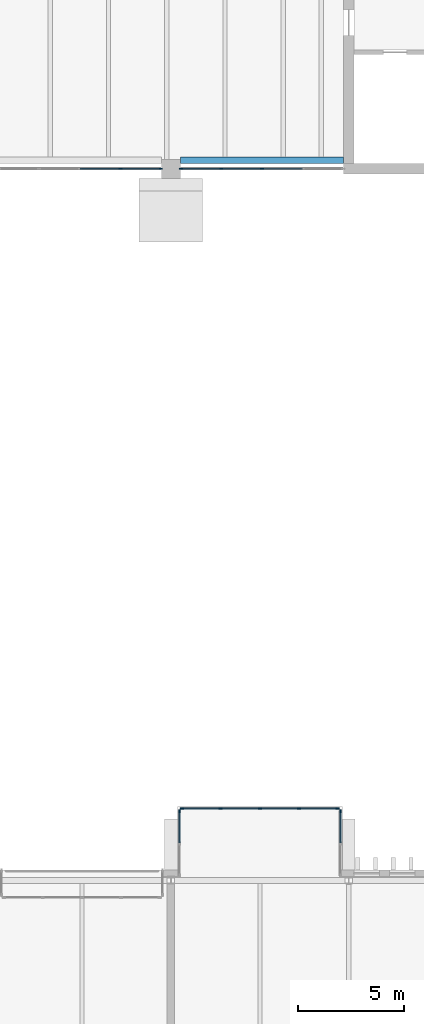
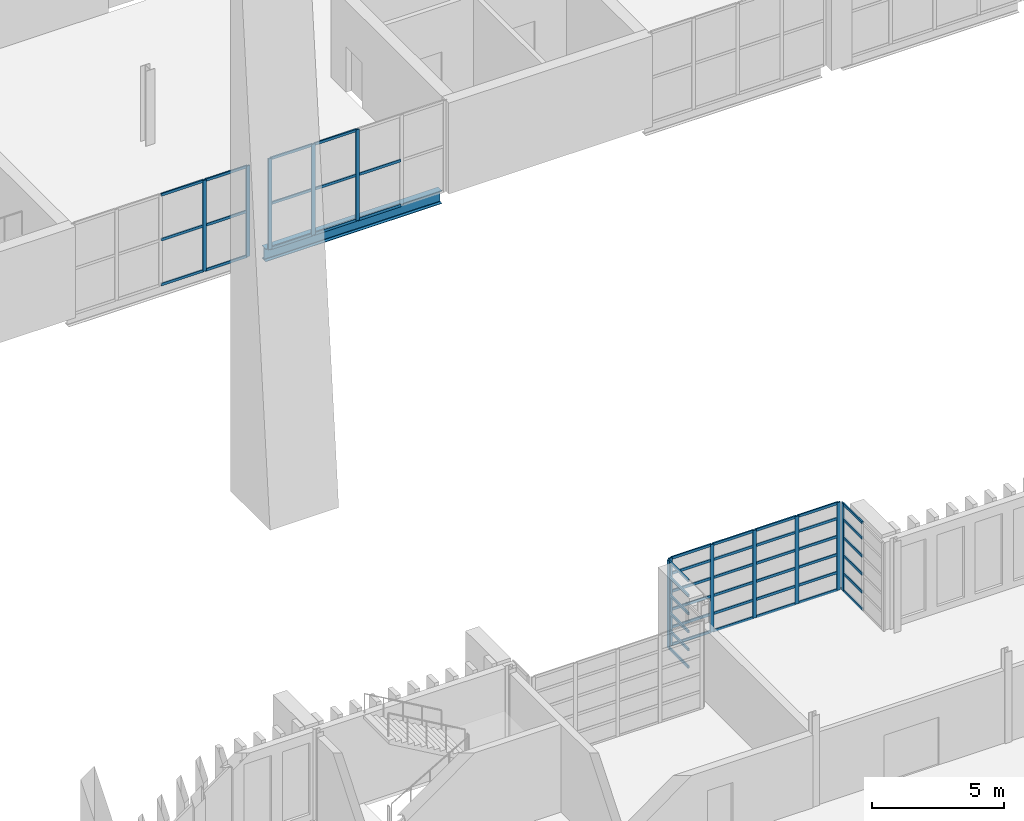
# One storey, part 30 of 100: 62 members, 1 beam, 5 elements without a shape of their own.
"""IFC4 building model written with IfcOpenShell, lengths in metres."""

from ifc_helpers import new_model, si_unit, direction, frame, origin, origin_2d, place, context, subcontext, project, spatial, rectangle, i_section, extrude, material, layer, layer_set, material_profile, profile_set, type_object, element, aggregate, save


model = new_model("IFC4")

# Units and contexts
model_context = context("Model", 3, precision=1e-05, world=origin(), true_north=direction((0.0, 1.0)))
body_context = subcontext(model_context, "Body", "Model", "MODEL_VIEW")
ifc_project = project(units=[si_unit("LENGTHUNIT", "METRE"), si_unit("AREAUNIT", "SQUARE_METRE"), si_unit("VOLUMEUNIT", "CUBIC_METRE"), si_unit("PLANEANGLEUNIT", "RADIAN"), si_unit("MASSUNIT", "GRAM", prefix="KILO")], contexts=[model_context])

# Site, building, storey
site_placement = place(None, origin())
site = spatial("IfcSite", under=ifc_project, at=site_placement, CompositionType="ELEMENT")
building_placement = place(site_placement, origin())
building = spatial("IfcBuilding", under=site, at=building_placement, Name="Cresset Court Congress Hotel", CompositionType="ELEMENT")
storey_placement = place(building_placement, frame((0.0, 0.0, 10.199951171875)))
storey = spatial("IfcBuildingStorey", under=building, at=storey_placement, Name="L02", CompositionType="ELEMENT", Elevation=10.199951171875)

# Curtain wall, members
ifc_material_1 = material(Name="Aluminium frame with double glazing", Category="aluminium")
ifc_layer_1 = layer(ifc_material_1, 0.199951171875)
ifc_layer_set_1 = layer_set([ifc_layer_1], Name="Glazed box curtain wall 1680 module")
curtain_wall_type_1 = type_object("IfcCurtainWallType", Name="Glazed box curtain wall 1680 module", PredefinedType="NOTDEFINED", material=ifc_layer_set_1)
curtain_wall_1_placement = place(storey_placement, origin())
curtain_wall_1 = element("IfcCurtainWall", 1, at=curtain_wall_1_placement, inside=storey, type_object=curtain_wall_type_1, Name="Glazed box N0228 front", PredefinedType="NOTDEFINED")
ifc_material_2 = material(Name="Aluminium", Category="aluminium")
ifc_material_profile_1 = material_profile(ifc_material_2, rectangle(XDim=0.06005859375, YDim=0.159912109375, at=origin_2d()), Name="Box mullion 60x160")
ifc_profile_set_1 = profile_set([ifc_material_profile_1], Name="Aluminium")
member_type_1 = type_object("IfcMemberType", Name="Box mullion 60x160", PredefinedType="MULLION", material=ifc_profile_set_1)
member_1_placement = place(storey_placement, frame((76.1298828125, 28.60009765625, 0.0), z_axis=(0.0, 0.0, 1.0), x_axis=(0.0, 1.0, 0.0)))
member_1 = element("IfcMember", 2, at=member_1_placement, type_object=member_type_1, Name="B-X1 mullion 1", PredefinedType="MULLION", context=body_context, shape_type="SweptSolid", body=[
    extrude(rectangle(XDim=0.06005859375, YDim=0.159912109375, at=origin_2d()), origin(), (0.0, 0.0, 1.0), 4.050048828125),
])
member_2_placement = place(storey_placement, frame((77.949951171875, 28.60009765625, 0.0), z_axis=(0.0, 0.0, 1.0), x_axis=(0.0, 1.0, 0.0)))
member_2 = element("IfcMember", 3, at=member_2_placement, type_object=member_type_1, Name="B-X1 mullion 2", PredefinedType="MULLION", context=body_context, shape_type="SweptSolid", body=[
    extrude(rectangle(XDim=0.06005859375, YDim=0.159912109375, at=origin_2d()), origin(), (0.0, 0.0, 1.0), 4.050048828125),
])
member_3_placement = place(storey_placement, frame((79.800048828125, 28.60009765625, 0.0), z_axis=(0.0, 0.0, 1.0), x_axis=(0.0, 1.0, 0.0)))
member_3 = element("IfcMember", 4, at=member_3_placement, type_object=member_type_1, Name="B-X1 mullion 3", PredefinedType="MULLION", context=body_context, shape_type="SweptSolid", body=[
    extrude(rectangle(XDim=0.06005859375, YDim=0.159912109375, at=origin_2d()), origin(), (0.0, 0.0, 1.0), 4.050048828125),
])
member_4_placement = place(storey_placement, frame((81.64990234375, 28.60009765625, 0.0), z_axis=(0.0, 0.0, 1.0), x_axis=(0.0, 1.0, 0.0)))
member_4 = element("IfcMember", 5, at=member_4_placement, type_object=member_type_1, Name="B-X1 mullion 4", PredefinedType="MULLION", context=body_context, shape_type="SweptSolid", body=[
    extrude(rectangle(XDim=0.06005859375, YDim=0.159912109375, at=origin_2d()), origin(), (0.0, 0.0, 1.0), 4.050048828125),
])
member_5_placement = place(storey_placement, frame((83.469970703125, 28.60009765625, 0.0), z_axis=(0.0, 0.0, 1.0), x_axis=(0.0, 1.0, 0.0)))
member_5 = element("IfcMember", 6, at=member_5_placement, type_object=member_type_1, Name="B-X1 mullion 5", PredefinedType="MULLION", context=body_context, shape_type="SweptSolid", body=[
    extrude(rectangle(XDim=0.06005859375, YDim=0.159912109375, at=origin_2d()), origin(), (0.0, 0.0, 1.0), 4.050048828125),
])

# Curtain wall, member
curtain_wall_2_placement = place(storey_placement, origin())
curtain_wall_2 = element("IfcCurtainWall", 7, at=curtain_wall_2_placement, inside=storey, type_object=curtain_wall_type_1, Name="Glazed box N0228 side", PredefinedType="NOTDEFINED")
member_6_placement = place(storey_placement, frame((76.0, 28.469970703125, 0.0), z_axis=(0.0, 0.0, 1.0), x_axis=(-1.0, 0.0, 0.0)))
member_6 = element("IfcMember", 8, at=member_6_placement, type_object=member_type_1, Name="B-X1 mullion 3", PredefinedType="MULLION", context=body_context, shape_type="SweptSolid", body=[
    extrude(rectangle(XDim=0.06005859375, YDim=0.159912109375, at=origin_2d()), origin(), (0.0, 0.0, 1.0), 4.050048828125),
])

curtain_wall_3_placement = place(storey_placement, origin())
curtain_wall_3 = element("IfcCurtainWall", 9, at=curtain_wall_3_placement, inside=storey, type_object=curtain_wall_type_1, Name="Glazed box N0228 side", PredefinedType="NOTDEFINED")
member_7_placement = place(storey_placement, frame((83.60009765625, 28.469970703125, 0.0), z_axis=(0.0, 0.0, 1.0), x_axis=(-1.0, 0.0, 0.0)))
member_7 = element("IfcMember", 10, at=member_7_placement, type_object=member_type_1, Name="B-X1 mullion 3", PredefinedType="MULLION", context=body_context, shape_type="SweptSolid", body=[
    extrude(rectangle(XDim=0.06005859375, YDim=0.159912109375, at=origin_2d()), origin(), (0.0, 0.0, 1.0), 4.050048828125),
])

# Member
ifc_material_3 = material(Name="Aluminium", Category="aluminium")
ifc_material_profile_2 = material_profile(ifc_material_3, rectangle(XDim=0.06005859375, YDim=0.1201171875, at=origin_2d()), Name="Box transom 60x120")
ifc_profile_set_2 = profile_set([ifc_material_profile_2], Name="Aluminium")
member_type_2 = type_object("IfcMemberType", Name="Box transom 60x120", PredefinedType="USERDEFINED", material=ifc_profile_set_2)
member_8_placement = place(storey_placement, frame((76.159912109375, 28.60009765625, 0.030029296875), z_axis=(1.0, 0.0, 0.0), x_axis=(0.0, 1.0, 0.0)))
member_8 = element("IfcMember", 11, at=member_8_placement, type_object=member_type_2, Name="B-X1 transom 1.1", ObjectType="TRANSOM", PredefinedType="USERDEFINED", context=body_context, shape_type="SweptSolid", body=[
    extrude(rectangle(XDim=0.06005859375, YDim=0.1201171875, at=origin_2d()), origin(), (0.0, 0.0, 1.0), 1.760009765625),
])

member_9_placement = place(storey_placement, frame((76.159912109375, 28.60009765625, 0.830078125), z_axis=(1.0, 0.0, 0.0), x_axis=(0.0, 1.0, 0.0)))
member_9 = element("IfcMember", 12, at=member_9_placement, type_object=member_type_2, Name="B-X1 transom 1.2", ObjectType="TRANSOM", PredefinedType="USERDEFINED", context=body_context, shape_type="SweptSolid", body=[
    extrude(rectangle(XDim=0.06005859375, YDim=0.1201171875, at=origin_2d()), origin(), (0.0, 0.0, 1.0), 1.760009765625),
])

member_10_placement = place(storey_placement, frame((76.159912109375, 28.60009765625, 1.66015625), z_axis=(1.0, 0.0, 0.0), x_axis=(0.0, 1.0, 0.0)))
member_10 = element("IfcMember", 13, at=member_10_placement, type_object=member_type_2, Name="B-X1 transom 1.3", ObjectType="TRANSOM", PredefinedType="USERDEFINED", context=body_context, shape_type="SweptSolid", body=[
    extrude(rectangle(XDim=0.06005859375, YDim=0.1201171875, at=origin_2d()), origin(), (0.0, 0.0, 1.0), 1.760009765625),
])

member_11_placement = place(storey_placement, frame((76.159912109375, 28.60009765625, 2.489990234375), z_axis=(1.0, 0.0, 0.0), x_axis=(0.0, 1.0, 0.0)))
member_11 = element("IfcMember", 14, at=member_11_placement, type_object=member_type_2, Name="B-X1 transom 1.4", ObjectType="TRANSOM", PredefinedType="USERDEFINED", context=body_context, shape_type="SweptSolid", body=[
    extrude(rectangle(XDim=0.06005859375, YDim=0.1201171875, at=origin_2d()), origin(), (0.0, 0.0, 1.0), 1.760009765625),
])

member_12_placement = place(storey_placement, frame((76.159912109375, 28.60009765625, 3.320068359375), z_axis=(1.0, 0.0, 0.0), x_axis=(0.0, 1.0, 0.0)))
member_12 = element("IfcMember", 15, at=member_12_placement, type_object=member_type_2, Name="B-X1 transom 1.5", ObjectType="TRANSOM", PredefinedType="USERDEFINED", context=body_context, shape_type="SweptSolid", body=[
    extrude(rectangle(XDim=0.06005859375, YDim=0.1201171875, at=origin_2d()), origin(), (0.0, 0.0, 1.0), 1.760009765625),
])

member_13_placement = place(storey_placement, frame((76.159912109375, 28.60009765625, 4.02001953125), z_axis=(1.0, 0.0, 0.0), x_axis=(0.0, 1.0, 0.0)))
member_13 = element("IfcMember", 16, at=member_13_placement, type_object=member_type_2, Name="B-X1 transom 1.6", ObjectType="TRANSOM", PredefinedType="USERDEFINED", context=body_context, shape_type="SweptSolid", body=[
    extrude(rectangle(XDim=0.06005859375, YDim=0.1201171875, at=origin_2d()), origin(), (0.0, 0.0, 1.0), 1.760009765625),
])

member_14_placement = place(storey_placement, frame((77.97998046875, 28.60009765625, 0.030029296875), z_axis=(1.0, 0.0, 0.0), x_axis=(0.0, 1.0, 0.0)))
member_14 = element("IfcMember", 17, at=member_14_placement, type_object=member_type_2, Name="B-X1 transom 2.1", ObjectType="TRANSOM", PredefinedType="USERDEFINED", context=body_context, shape_type="SweptSolid", body=[
    extrude(rectangle(XDim=0.06005859375, YDim=0.1201171875, at=origin_2d()), origin(), (0.0, 0.0, 1.0), 1.7900390625),
])

member_15_placement = place(storey_placement, frame((77.97998046875, 28.60009765625, 0.830078125), z_axis=(1.0, 0.0, 0.0), x_axis=(0.0, 1.0, 0.0)))
member_15 = element("IfcMember", 18, at=member_15_placement, type_object=member_type_2, Name="B-X1 transom 2.2", ObjectType="TRANSOM", PredefinedType="USERDEFINED", context=body_context, shape_type="SweptSolid", body=[
    extrude(rectangle(XDim=0.06005859375, YDim=0.1201171875, at=origin_2d()), origin(), (0.0, 0.0, 1.0), 1.7900390625),
])

member_16_placement = place(storey_placement, frame((77.97998046875, 28.60009765625, 1.66015625), z_axis=(1.0, 0.0, 0.0), x_axis=(0.0, 1.0, 0.0)))
member_16 = element("IfcMember", 19, at=member_16_placement, type_object=member_type_2, Name="B-X1 transom 2.3", ObjectType="TRANSOM", PredefinedType="USERDEFINED", context=body_context, shape_type="SweptSolid", body=[
    extrude(rectangle(XDim=0.06005859375, YDim=0.1201171875, at=origin_2d()), origin(), (0.0, 0.0, 1.0), 1.7900390625),
])

member_17_placement = place(storey_placement, frame((77.97998046875, 28.60009765625, 2.489990234375), z_axis=(1.0, 0.0, 0.0), x_axis=(0.0, 1.0, 0.0)))
member_17 = element("IfcMember", 20, at=member_17_placement, type_object=member_type_2, Name="B-X1 transom 2.4", ObjectType="TRANSOM", PredefinedType="USERDEFINED", context=body_context, shape_type="SweptSolid", body=[
    extrude(rectangle(XDim=0.06005859375, YDim=0.1201171875, at=origin_2d()), origin(), (0.0, 0.0, 1.0), 1.7900390625),
])

member_18_placement = place(storey_placement, frame((77.97998046875, 28.60009765625, 3.320068359375), z_axis=(1.0, 0.0, 0.0), x_axis=(0.0, 1.0, 0.0)))
member_18 = element("IfcMember", 21, at=member_18_placement, type_object=member_type_2, Name="B-X1 transom 2.5", ObjectType="TRANSOM", PredefinedType="USERDEFINED", context=body_context, shape_type="SweptSolid", body=[
    extrude(rectangle(XDim=0.06005859375, YDim=0.1201171875, at=origin_2d()), origin(), (0.0, 0.0, 1.0), 1.7900390625),
])

member_19_placement = place(storey_placement, frame((77.97998046875, 28.60009765625, 4.02001953125), z_axis=(1.0, 0.0, 0.0), x_axis=(0.0, 1.0, 0.0)))
member_19 = element("IfcMember", 22, at=member_19_placement, type_object=member_type_2, Name="B-X1 transom 2.6", ObjectType="TRANSOM", PredefinedType="USERDEFINED", context=body_context, shape_type="SweptSolid", body=[
    extrude(rectangle(XDim=0.06005859375, YDim=0.1201171875, at=origin_2d()), origin(), (0.0, 0.0, 1.0), 1.7900390625),
])

member_20_placement = place(storey_placement, frame((79.830078125, 28.60009765625, 0.030029296875), z_axis=(1.0, 0.0, 0.0), x_axis=(0.0, 1.0, 0.0)))
member_20 = element("IfcMember", 23, at=member_20_placement, type_object=member_type_2, Name="B-X1 transom 3.1", ObjectType="TRANSOM", PredefinedType="USERDEFINED", context=body_context, shape_type="SweptSolid", body=[
    extrude(rectangle(XDim=0.06005859375, YDim=0.1201171875, at=origin_2d()), origin(), (0.0, 0.0, 1.0), 1.7900390625),
])

member_21_placement = place(storey_placement, frame((79.830078125, 28.60009765625, 0.830078125), z_axis=(1.0, 0.0, 0.0), x_axis=(0.0, 1.0, 0.0)))
member_21 = element("IfcMember", 24, at=member_21_placement, type_object=member_type_2, Name="B-X1 transom 3.2", ObjectType="TRANSOM", PredefinedType="USERDEFINED", context=body_context, shape_type="SweptSolid", body=[
    extrude(rectangle(XDim=0.06005859375, YDim=0.1201171875, at=origin_2d()), origin(), (0.0, 0.0, 1.0), 1.7900390625),
])

member_22_placement = place(storey_placement, frame((79.830078125, 28.60009765625, 1.66015625), z_axis=(1.0, 0.0, 0.0), x_axis=(0.0, 1.0, 0.0)))
member_22 = element("IfcMember", 25, at=member_22_placement, type_object=member_type_2, Name="B-X1 transom 3.3", ObjectType="TRANSOM", PredefinedType="USERDEFINED", context=body_context, shape_type="SweptSolid", body=[
    extrude(rectangle(XDim=0.06005859375, YDim=0.1201171875, at=origin_2d()), origin(), (0.0, 0.0, 1.0), 1.7900390625),
])

member_23_placement = place(storey_placement, frame((79.830078125, 28.60009765625, 2.489990234375), z_axis=(1.0, 0.0, 0.0), x_axis=(0.0, 1.0, 0.0)))
member_23 = element("IfcMember", 26, at=member_23_placement, type_object=member_type_2, Name="B-X1 transom 3.4", ObjectType="TRANSOM", PredefinedType="USERDEFINED", context=body_context, shape_type="SweptSolid", body=[
    extrude(rectangle(XDim=0.06005859375, YDim=0.1201171875, at=origin_2d()), origin(), (0.0, 0.0, 1.0), 1.7900390625),
])

member_24_placement = place(storey_placement, frame((79.830078125, 28.60009765625, 3.320068359375), z_axis=(1.0, 0.0, 0.0), x_axis=(0.0, 1.0, 0.0)))
member_24 = element("IfcMember", 27, at=member_24_placement, type_object=member_type_2, Name="B-X1 transom 3.5", ObjectType="TRANSOM", PredefinedType="USERDEFINED", context=body_context, shape_type="SweptSolid", body=[
    extrude(rectangle(XDim=0.06005859375, YDim=0.1201171875, at=origin_2d()), origin(), (0.0, 0.0, 1.0), 1.7900390625),
])

member_25_placement = place(storey_placement, frame((79.830078125, 28.60009765625, 4.02001953125), z_axis=(1.0, 0.0, 0.0), x_axis=(0.0, 1.0, 0.0)))
member_25 = element("IfcMember", 28, at=member_25_placement, type_object=member_type_2, Name="B-X1 transom 3.6", ObjectType="TRANSOM", PredefinedType="USERDEFINED", context=body_context, shape_type="SweptSolid", body=[
    extrude(rectangle(XDim=0.06005859375, YDim=0.1201171875, at=origin_2d()), origin(), (0.0, 0.0, 1.0), 1.7900390625),
])

member_26_placement = place(storey_placement, frame((81.679931640625, 28.60009765625, 0.030029296875), z_axis=(1.0, 0.0, 0.0), x_axis=(0.0, 1.0, 0.0)))
member_26 = element("IfcMember", 29, at=member_26_placement, type_object=member_type_2, Name="B-X1 transom 4.1", ObjectType="TRANSOM", PredefinedType="USERDEFINED", context=body_context, shape_type="SweptSolid", body=[
    extrude(rectangle(XDim=0.06005859375, YDim=0.1201171875, at=origin_2d()), origin(), (0.0, 0.0, 1.0), 1.760009765625),
])

member_27_placement = place(storey_placement, frame((81.679931640625, 28.60009765625, 0.830078125), z_axis=(1.0, 0.0, 0.0), x_axis=(0.0, 1.0, 0.0)))
member_27 = element("IfcMember", 30, at=member_27_placement, type_object=member_type_2, Name="B-X1 transom 4.2", ObjectType="TRANSOM", PredefinedType="USERDEFINED", context=body_context, shape_type="SweptSolid", body=[
    extrude(rectangle(XDim=0.06005859375, YDim=0.1201171875, at=origin_2d()), origin(), (0.0, 0.0, 1.0), 1.760009765625),
])

member_28_placement = place(storey_placement, frame((81.679931640625, 28.60009765625, 1.66015625), z_axis=(1.0, 0.0, 0.0), x_axis=(0.0, 1.0, 0.0)))
member_28 = element("IfcMember", 31, at=member_28_placement, type_object=member_type_2, Name="B-X1 transom 4.3", ObjectType="TRANSOM", PredefinedType="USERDEFINED", context=body_context, shape_type="SweptSolid", body=[
    extrude(rectangle(XDim=0.06005859375, YDim=0.1201171875, at=origin_2d()), origin(), (0.0, 0.0, 1.0), 1.760009765625),
])

member_29_placement = place(storey_placement, frame((81.679931640625, 28.60009765625, 2.489990234375), z_axis=(1.0, 0.0, 0.0), x_axis=(0.0, 1.0, 0.0)))
member_29 = element("IfcMember", 32, at=member_29_placement, type_object=member_type_2, Name="B-X1 transom 4.4", ObjectType="TRANSOM", PredefinedType="USERDEFINED", context=body_context, shape_type="SweptSolid", body=[
    extrude(rectangle(XDim=0.06005859375, YDim=0.1201171875, at=origin_2d()), origin(), (0.0, 0.0, 1.0), 1.760009765625),
])

member_30_placement = place(storey_placement, frame((81.679931640625, 28.60009765625, 3.320068359375), z_axis=(1.0, 0.0, 0.0), x_axis=(0.0, 1.0, 0.0)))
member_30 = element("IfcMember", 33, at=member_30_placement, type_object=member_type_2, Name="B-X1 transom 4.5", ObjectType="TRANSOM", PredefinedType="USERDEFINED", context=body_context, shape_type="SweptSolid", body=[
    extrude(rectangle(XDim=0.06005859375, YDim=0.1201171875, at=origin_2d()), origin(), (0.0, 0.0, 1.0), 1.760009765625),
])

member_31_placement = place(storey_placement, frame((81.679931640625, 28.60009765625, 4.02001953125), z_axis=(1.0, 0.0, 0.0), x_axis=(0.0, 1.0, 0.0)))
member_31 = element("IfcMember", 34, at=member_31_placement, type_object=member_type_2, Name="B-X1 transom 4.6", ObjectType="TRANSOM", PredefinedType="USERDEFINED", context=body_context, shape_type="SweptSolid", body=[
    extrude(rectangle(XDim=0.06005859375, YDim=0.1201171875, at=origin_2d()), origin(), (0.0, 0.0, 1.0), 1.760009765625),
])

aggregate(curtain_wall_1, [member_1, member_2, member_3, member_4, member_5, member_8, member_9, member_10, member_11, member_12, member_13, member_14, member_15, member_16, member_17, member_18, member_19, member_20, member_21, member_22, member_23, member_24, member_25, member_26, member_27, member_28, member_29, member_30, member_31])

member_32_placement = place(storey_placement, frame((76.0, 26.97998046875, 0.030029296875), z_axis=(0.0, 1.0, 0.0), x_axis=(-1.0, 0.0, 0.0)))
member_32 = element("IfcMember", 35, at=member_32_placement, type_object=member_type_2, Name="B-X1 transom 2.1", ObjectType="TRANSOM", PredefinedType="USERDEFINED", context=body_context, shape_type="SweptSolid", body=[
    extrude(rectangle(XDim=0.06005859375, YDim=0.1201171875, at=origin_2d()), origin(), (0.0, 0.0, 1.0), 1.4599609375),
])

member_33_placement = place(storey_placement, frame((76.0, 26.97998046875, 0.830078125), z_axis=(0.0, 1.0, 0.0), x_axis=(-1.0, 0.0, 0.0)))
member_33 = element("IfcMember", 36, at=member_33_placement, type_object=member_type_2, Name="B-X1 transom 2.2", ObjectType="TRANSOM", PredefinedType="USERDEFINED", context=body_context, shape_type="SweptSolid", body=[
    extrude(rectangle(XDim=0.06005859375, YDim=0.1201171875, at=origin_2d()), origin(), (0.0, 0.0, 1.0), 1.4599609375),
])

member_34_placement = place(storey_placement, frame((76.0, 26.97998046875, 1.66015625), z_axis=(0.0, 1.0, 0.0), x_axis=(-1.0, 0.0, 0.0)))
member_34 = element("IfcMember", 37, at=member_34_placement, type_object=member_type_2, Name="B-X1 transom 2.3", ObjectType="TRANSOM", PredefinedType="USERDEFINED", context=body_context, shape_type="SweptSolid", body=[
    extrude(rectangle(XDim=0.06005859375, YDim=0.1201171875, at=origin_2d()), origin(), (0.0, 0.0, 1.0), 1.4599609375),
])

member_35_placement = place(storey_placement, frame((76.0, 26.97998046875, 2.489990234375), z_axis=(0.0, 1.0, 0.0), x_axis=(-1.0, 0.0, 0.0)))
member_35 = element("IfcMember", 38, at=member_35_placement, type_object=member_type_2, Name="B-X1 transom 2.4", ObjectType="TRANSOM", PredefinedType="USERDEFINED", context=body_context, shape_type="SweptSolid", body=[
    extrude(rectangle(XDim=0.06005859375, YDim=0.1201171875, at=origin_2d()), origin(), (0.0, 0.0, 1.0), 1.4599609375),
])

member_36_placement = place(storey_placement, frame((76.0, 26.97998046875, 3.320068359375), z_axis=(0.0, 1.0, 0.0), x_axis=(-1.0, 0.0, 0.0)))
member_36 = element("IfcMember", 39, at=member_36_placement, type_object=member_type_2, Name="B-X1 transom 2.5", ObjectType="TRANSOM", PredefinedType="USERDEFINED", context=body_context, shape_type="SweptSolid", body=[
    extrude(rectangle(XDim=0.06005859375, YDim=0.1201171875, at=origin_2d()), origin(), (0.0, 0.0, 1.0), 1.4599609375),
])

member_37_placement = place(storey_placement, frame((76.0, 26.97998046875, 4.02001953125), z_axis=(0.0, 1.0, 0.0), x_axis=(-1.0, 0.0, 0.0)))
member_37 = element("IfcMember", 40, at=member_37_placement, type_object=member_type_2, Name="B-X1 transom 2.6", ObjectType="TRANSOM", PredefinedType="USERDEFINED", context=body_context, shape_type="SweptSolid", body=[
    extrude(rectangle(XDim=0.06005859375, YDim=0.1201171875, at=origin_2d()), origin(), (0.0, 0.0, 1.0), 1.4599609375),
])

aggregate(curtain_wall_2, [member_6, member_32, member_33, member_34, member_35, member_36, member_37])

member_38_placement = place(storey_placement, frame((83.60009765625, 26.97998046875, 0.030029296875), z_axis=(0.0, 1.0, 0.0), x_axis=(-1.0, 0.0, 0.0)))
member_38 = element("IfcMember", 41, at=member_38_placement, type_object=member_type_2, Name="B-X1 transom 2.1", ObjectType="TRANSOM", PredefinedType="USERDEFINED", context=body_context, shape_type="SweptSolid", body=[
    extrude(rectangle(XDim=0.06005859375, YDim=0.1201171875, at=origin_2d()), origin(), (0.0, 0.0, 1.0), 1.4599609375),
])

member_39_placement = place(storey_placement, frame((83.60009765625, 26.97998046875, 0.830078125), z_axis=(0.0, 1.0, 0.0), x_axis=(-1.0, 0.0, 0.0)))
member_39 = element("IfcMember", 42, at=member_39_placement, type_object=member_type_2, Name="B-X1 transom 2.2", ObjectType="TRANSOM", PredefinedType="USERDEFINED", context=body_context, shape_type="SweptSolid", body=[
    extrude(rectangle(XDim=0.06005859375, YDim=0.1201171875, at=origin_2d()), origin(), (0.0, 0.0, 1.0), 1.4599609375),
])

member_40_placement = place(storey_placement, frame((83.60009765625, 26.97998046875, 1.66015625), z_axis=(0.0, 1.0, 0.0), x_axis=(-1.0, 0.0, 0.0)))
member_40 = element("IfcMember", 43, at=member_40_placement, type_object=member_type_2, Name="B-X1 transom 2.3", ObjectType="TRANSOM", PredefinedType="USERDEFINED", context=body_context, shape_type="SweptSolid", body=[
    extrude(rectangle(XDim=0.06005859375, YDim=0.1201171875, at=origin_2d()), origin(), (0.0, 0.0, 1.0), 1.4599609375),
])

member_41_placement = place(storey_placement, frame((83.60009765625, 26.97998046875, 2.489990234375), z_axis=(0.0, 1.0, 0.0), x_axis=(-1.0, 0.0, 0.0)))
member_41 = element("IfcMember", 44, at=member_41_placement, type_object=member_type_2, Name="B-X1 transom 2.4", ObjectType="TRANSOM", PredefinedType="USERDEFINED", context=body_context, shape_type="SweptSolid", body=[
    extrude(rectangle(XDim=0.06005859375, YDim=0.1201171875, at=origin_2d()), origin(), (0.0, 0.0, 1.0), 1.4599609375),
])

member_42_placement = place(storey_placement, frame((83.60009765625, 26.97998046875, 3.320068359375), z_axis=(0.0, 1.0, 0.0), x_axis=(-1.0, 0.0, 0.0)))
member_42 = element("IfcMember", 45, at=member_42_placement, type_object=member_type_2, Name="B-X1 transom 2.5", ObjectType="TRANSOM", PredefinedType="USERDEFINED", context=body_context, shape_type="SweptSolid", body=[
    extrude(rectangle(XDim=0.06005859375, YDim=0.1201171875, at=origin_2d()), origin(), (0.0, 0.0, 1.0), 1.4599609375),
])

member_43_placement = place(storey_placement, frame((83.60009765625, 26.97998046875, 4.02001953125), z_axis=(0.0, 1.0, 0.0), x_axis=(-1.0, 0.0, 0.0)))
member_43 = element("IfcMember", 46, at=member_43_placement, type_object=member_type_2, Name="B-X1 transom 2.6", ObjectType="TRANSOM", PredefinedType="USERDEFINED", context=body_context, shape_type="SweptSolid", body=[
    extrude(rectangle(XDim=0.06005859375, YDim=0.1201171875, at=origin_2d()), origin(), (0.0, 0.0, 1.0), 1.4599609375),
])

aggregate(curtain_wall_3, [member_7, member_38, member_39, member_40, member_41, member_42, member_43])

# Curtain wall, members
ifc_material_4 = material(Name="Aluminium and glass", Category="aluminium")
ifc_layer_2 = layer(ifc_material_4, 0.199951171875)
ifc_layer_set_2 = layer_set([ifc_layer_2], Name="Foyer curtain wall 1925 module")
curtain_wall_type_2 = type_object("IfcCurtainWallType", Name="Foyer curtain wall 1925 module", PredefinedType="NOTDEFINED", material=ifc_layer_set_2)
curtain_wall_4_placement = place(storey_placement, origin())
curtain_wall_4 = element("IfcCurtainWall", 47, at=curtain_wall_4_placement, inside=storey, type_object=curtain_wall_type_2, Name="Curtain wall CX-021", PredefinedType="NOTDEFINED")
ifc_material_5 = material(Name="Anodised aluminium", Category="aluminium")
ifc_material_profile_3 = material_profile(ifc_material_5, rectangle(XDim=0.06005859375, YDim=0.159912109375, at=origin_2d()), Name="AL60x160")
ifc_profile_set_3 = profile_set([ifc_material_profile_3], Name="Anodised aluminium")
member_type_3 = type_object("IfcMemberType", Name="Curtain wall mullion 60x160", PredefinedType="MULLION", material=ifc_profile_set_3)
member_44_placement = place(storey_placement, frame((73.22509765625, 58.800048828125, 0.0), z_axis=(0.0, 0.0, 1.0), x_axis=(0.0, 1.0, 0.0)))
member_44 = element("IfcMember", 48, at=member_44_placement, type_object=member_type_3, Name="C-X1 mullion 4", PredefinedType="MULLION", context=body_context, shape_type="SweptSolid", body=[
    extrude(rectangle(XDim=0.06005859375, YDim=0.159912109375, at=origin_2d()), origin(), (0.0, 0.0, 1.0), 4.199951171875),
])
member_45_placement = place(storey_placement, frame((75.1201171875, 58.800048828125, 0.0), z_axis=(0.0, 0.0, 1.0), x_axis=(0.0, 1.0, 0.0)))
member_45 = element("IfcMember", 49, at=member_45_placement, type_object=member_type_3, Name="C-X1 mullion 5", PredefinedType="MULLION", context=body_context, shape_type="SweptSolid", body=[
    extrude(rectangle(XDim=0.06005859375, YDim=0.159912109375, at=origin_2d()), origin(), (0.0, 0.0, 1.0), 4.199951171875),
])

curtain_wall_5_placement = place(storey_placement, origin())
curtain_wall_5 = element("IfcCurtainWall", 50, at=curtain_wall_5_placement, inside=storey, type_object=curtain_wall_type_2, Name="Curtain wall CX-022", PredefinedType="NOTDEFINED")
member_46_placement = place(storey_placement, frame((76.080078125, 58.800048828125, 0.0), z_axis=(0.0, 0.0, 1.0), x_axis=(0.0, 1.0, 0.0)))
member_46 = element("IfcMember", 51, at=member_46_placement, type_object=member_type_3, Name="C-X1 mullion 1", PredefinedType="MULLION", context=body_context, shape_type="SweptSolid", body=[
    extrude(rectangle(XDim=0.06005859375, YDim=0.159912109375, at=origin_2d()), origin(), (0.0, 0.0, 1.0), 4.199951171875),
])
member_47_placement = place(storey_placement, frame((77.97509765625, 58.800048828125, 0.0), z_axis=(0.0, 0.0, 1.0), x_axis=(0.0, 1.0, 0.0)))
member_47 = element("IfcMember", 52, at=member_47_placement, type_object=member_type_3, Name="C-X1 mullion 2", PredefinedType="MULLION", context=body_context, shape_type="SweptSolid", body=[
    extrude(rectangle(XDim=0.06005859375, YDim=0.159912109375, at=origin_2d()), origin(), (0.0, 0.0, 1.0), 4.199951171875),
])
member_48_placement = place(storey_placement, frame((79.89990234375, 58.800048828125, 0.0), z_axis=(0.0, 0.0, 1.0), x_axis=(0.0, 1.0, 0.0)))
member_48 = element("IfcMember", 53, at=member_48_placement, type_object=member_type_3, Name="C-X1 mullion 3", PredefinedType="MULLION", context=body_context, shape_type="SweptSolid", body=[
    extrude(rectangle(XDim=0.06005859375, YDim=0.159912109375, at=origin_2d()), origin(), (0.0, 0.0, 1.0), 4.199951171875),
])

# Member
ifc_material_6 = material(Name="Anodised aluminium", Category="aluminium")
ifc_material_profile_4 = material_profile(ifc_material_6, rectangle(XDim=0.06005859375, YDim=0.1201171875, at=origin_2d()), Name="AL60x120")
ifc_profile_set_4 = profile_set([ifc_material_profile_4], Name="Anodised aluminium")
member_type_4 = type_object("IfcMemberType", Name="Curtain wall transom 60x120", PredefinedType="USERDEFINED", material=ifc_profile_set_4)
member_49_placement = place(storey_placement, frame((71.330078125, 58.800048828125, 0.030029296875), z_axis=(1.0, 0.0, 0.0), x_axis=(0.0, 1.0, 0.0)))
member_49 = element("IfcMember", 54, at=member_49_placement, type_object=member_type_4, Name="C-X1 transom 3.1", ObjectType="TRANSOM", PredefinedType="USERDEFINED", context=body_context, shape_type="SweptSolid", body=[
    extrude(rectangle(XDim=0.06005859375, YDim=0.1201171875, at=origin_2d()), origin(), (0.0, 0.0, 1.0), 1.864990234375),
])

member_50_placement = place(storey_placement, frame((71.330078125, 58.800048828125, 2.10009765625), z_axis=(1.0, 0.0, 0.0), x_axis=(0.0, 1.0, 0.0)))
member_50 = element("IfcMember", 55, at=member_50_placement, type_object=member_type_4, Name="C-X1 transom 3.2", ObjectType="TRANSOM", PredefinedType="USERDEFINED", context=body_context, shape_type="SweptSolid", body=[
    extrude(rectangle(XDim=0.06005859375, YDim=0.1201171875, at=origin_2d()), origin(), (0.0, 0.0, 1.0), 1.864990234375),
])

member_51_placement = place(storey_placement, frame((71.330078125, 58.800048828125, 4.170166015625), z_axis=(1.0, 0.0, 0.0), x_axis=(0.0, 1.0, 0.0)))
member_51 = element("IfcMember", 56, at=member_51_placement, type_object=member_type_4, Name="C-X1 transom 3.3", ObjectType="TRANSOM", PredefinedType="USERDEFINED", context=body_context, shape_type="SweptSolid", body=[
    extrude(rectangle(XDim=0.06005859375, YDim=0.1201171875, at=origin_2d()), origin(), (0.0, 0.0, 1.0), 1.864990234375),
])

member_52_placement = place(storey_placement, frame((73.2548828125, 58.800048828125, 0.030029296875), z_axis=(1.0, 0.0, 0.0), x_axis=(0.0, 1.0, 0.0)))
member_52 = element("IfcMember", 57, at=member_52_placement, type_object=member_type_4, Name="C-X1 transom 4.1", ObjectType="TRANSOM", PredefinedType="USERDEFINED", context=body_context, shape_type="SweptSolid", body=[
    extrude(rectangle(XDim=0.06005859375, YDim=0.1201171875, at=origin_2d()), origin(), (0.0, 0.0, 1.0), 1.835205078125),
])

member_53_placement = place(storey_placement, frame((73.2548828125, 58.800048828125, 2.10009765625), z_axis=(1.0, 0.0, 0.0), x_axis=(0.0, 1.0, 0.0)))
member_53 = element("IfcMember", 58, at=member_53_placement, type_object=member_type_4, Name="C-X1 transom 4.2", ObjectType="TRANSOM", PredefinedType="USERDEFINED", context=body_context, shape_type="SweptSolid", body=[
    extrude(rectangle(XDim=0.06005859375, YDim=0.1201171875, at=origin_2d()), origin(), (0.0, 0.0, 1.0), 1.835205078125),
])

member_54_placement = place(storey_placement, frame((73.2548828125, 58.800048828125, 4.170166015625), z_axis=(1.0, 0.0, 0.0), x_axis=(0.0, 1.0, 0.0)))
member_54 = element("IfcMember", 59, at=member_54_placement, type_object=member_type_4, Name="C-X1 transom 4.3", ObjectType="TRANSOM", PredefinedType="USERDEFINED", context=body_context, shape_type="SweptSolid", body=[
    extrude(rectangle(XDim=0.06005859375, YDim=0.1201171875, at=origin_2d()), origin(), (0.0, 0.0, 1.0), 1.835205078125),
])

aggregate(curtain_wall_4, [member_44, member_45, member_49, member_50, member_51, member_52, member_53, member_54])

member_55_placement = place(storey_placement, frame((76.110107421875, 58.800048828125, 0.030029296875), z_axis=(1.0, 0.0, 0.0), x_axis=(0.0, 1.0, 0.0)))
member_55 = element("IfcMember", 60, at=member_55_placement, type_object=member_type_4, Name="C-X1 transom 1.1", ObjectType="TRANSOM", PredefinedType="USERDEFINED", context=body_context, shape_type="SweptSolid", body=[
    extrude(rectangle(XDim=0.06005859375, YDim=0.1201171875, at=origin_2d()), origin(), (0.0, 0.0, 1.0), 1.8349609375),
])

member_56_placement = place(storey_placement, frame((76.110107421875, 58.800048828125, 2.10009765625), z_axis=(1.0, 0.0, 0.0), x_axis=(0.0, 1.0, 0.0)))
member_56 = element("IfcMember", 61, at=member_56_placement, type_object=member_type_4, Name="C-X1 transom 1.2", ObjectType="TRANSOM", PredefinedType="USERDEFINED", context=body_context, shape_type="SweptSolid", body=[
    extrude(rectangle(XDim=0.06005859375, YDim=0.1201171875, at=origin_2d()), origin(), (0.0, 0.0, 1.0), 1.8349609375),
])

member_57_placement = place(storey_placement, frame((76.110107421875, 58.800048828125, 4.170166015625), z_axis=(1.0, 0.0, 0.0), x_axis=(0.0, 1.0, 0.0)))
member_57 = element("IfcMember", 62, at=member_57_placement, type_object=member_type_4, Name="C-X1 transom 1.3", ObjectType="TRANSOM", PredefinedType="USERDEFINED", context=body_context, shape_type="SweptSolid", body=[
    extrude(rectangle(XDim=0.06005859375, YDim=0.1201171875, at=origin_2d()), origin(), (0.0, 0.0, 1.0), 1.8349609375),
])

member_58_placement = place(storey_placement, frame((78.0048828125, 58.800048828125, 0.030029296875), z_axis=(1.0, 0.0, 0.0), x_axis=(0.0, 1.0, 0.0)))
member_58 = element("IfcMember", 63, at=member_58_placement, type_object=member_type_4, Name="C-X1 transom 2.1", ObjectType="TRANSOM", PredefinedType="USERDEFINED", context=body_context, shape_type="SweptSolid", body=[
    extrude(rectangle(XDim=0.06005859375, YDim=0.1201171875, at=origin_2d()), origin(), (0.0, 0.0, 1.0), 1.865234375),
])

member_59_placement = place(storey_placement, frame((78.0048828125, 58.800048828125, 2.10009765625), z_axis=(1.0, 0.0, 0.0), x_axis=(0.0, 1.0, 0.0)))
member_59 = element("IfcMember", 64, at=member_59_placement, type_object=member_type_4, Name="C-X1 transom 2.2", ObjectType="TRANSOM", PredefinedType="USERDEFINED", context=body_context, shape_type="SweptSolid", body=[
    extrude(rectangle(XDim=0.06005859375, YDim=0.1201171875, at=origin_2d()), origin(), (0.0, 0.0, 1.0), 1.865234375),
])

member_60_placement = place(storey_placement, frame((78.0048828125, 58.800048828125, 4.170166015625), z_axis=(1.0, 0.0, 0.0), x_axis=(0.0, 1.0, 0.0)))
member_60 = element("IfcMember", 65, at=member_60_placement, type_object=member_type_4, Name="C-X1 transom 2.3", ObjectType="TRANSOM", PredefinedType="USERDEFINED", context=body_context, shape_type="SweptSolid", body=[
    extrude(rectangle(XDim=0.06005859375, YDim=0.1201171875, at=origin_2d()), origin(), (0.0, 0.0, 1.0), 1.865234375),
])

member_61_placement = place(storey_placement, frame((79.929931640625, 58.800048828125, 0.030029296875), z_axis=(1.0, 0.0, 0.0), x_axis=(0.0, 1.0, 0.0)))
member_61 = element("IfcMember", 66, at=member_61_placement, type_object=member_type_4, Name="C-X1 transom 3.1", ObjectType="TRANSOM", PredefinedType="USERDEFINED", context=body_context, shape_type="SweptSolid", body=[
    extrude(rectangle(XDim=0.06005859375, YDim=0.1201171875, at=origin_2d()), origin(), (0.0, 0.0, 1.0), 1.864990234375),
])

member_62_placement = place(storey_placement, frame((79.929931640625, 58.800048828125, 2.10009765625), z_axis=(1.0, 0.0, 0.0), x_axis=(0.0, 1.0, 0.0)))
member_62 = element("IfcMember", 67, at=member_62_placement, type_object=member_type_4, Name="C-X1 transom 3.2", ObjectType="TRANSOM", PredefinedType="USERDEFINED", context=body_context, shape_type="SweptSolid", body=[
    extrude(rectangle(XDim=0.06005859375, YDim=0.1201171875, at=origin_2d()), origin(), (0.0, 0.0, 1.0), 1.864990234375),
])

aggregate(curtain_wall_5, [member_46, member_47, member_48, member_55, member_56, member_57, member_58, member_59, member_60, member_61, member_62])

# Beam
ifc_material_7 = material(Name="Structural steel Q355B", Category="steel")
ifc_material_profile_5 = material_profile(ifc_material_7, i_section(OverallWidth=0.300048828125, OverallDepth=0.587890625, WebThickness=0.011962890625, FlangeThickness=0.02001953125, FilletRadius=0.028076171875, at=origin_2d()), Name="HM588x300x12x20")
ifc_profile_set_5 = profile_set([ifc_material_profile_5], Name="Structural steel Q355B")
beam_type = type_object("IfcBeamType", Name="Steel HM588x300x12x20 girder", PredefinedType="BEAM", material=ifc_profile_set_5)
beam_placement = place(storey_placement, frame((76.050048828125, 59.199951171875, -0.44384765625), z_axis=(1.0, 0.0, 0.0), x_axis=(0.0, 1.0, 0.0)))
element("IfcBeam", 68, at=beam_placement, inside=storey, type_object=beam_type, Name="Girder CG-F026", PredefinedType="BEAM", context=body_context, shape_type="SweptSolid", body=[
    extrude(i_section(OverallWidth=0.300048828125, OverallDepth=0.587890625, WebThickness=0.011962890625, FlangeThickness=0.02001953125, FilletRadius=0.028076171875, at=origin_2d()), origin(), (0.0, 0.0, 1.0), 7.699951171875),
])

save(model, "model.ifc")
